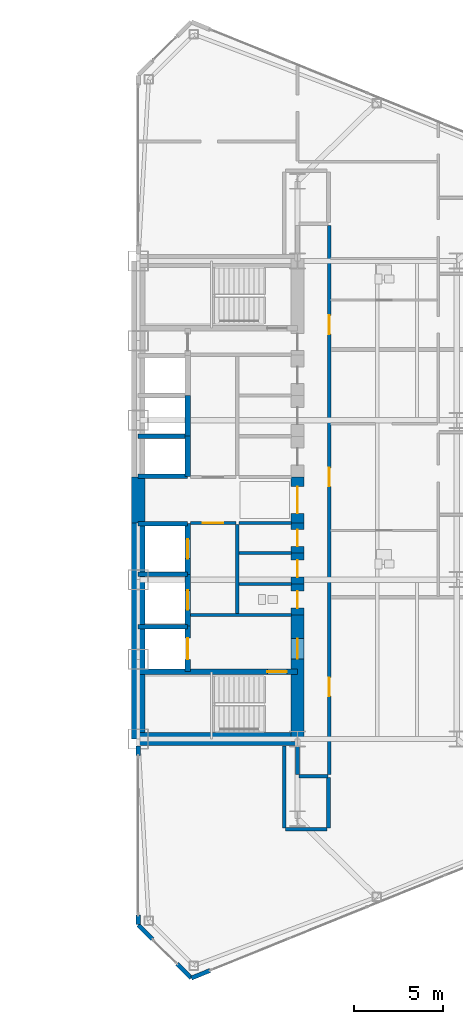
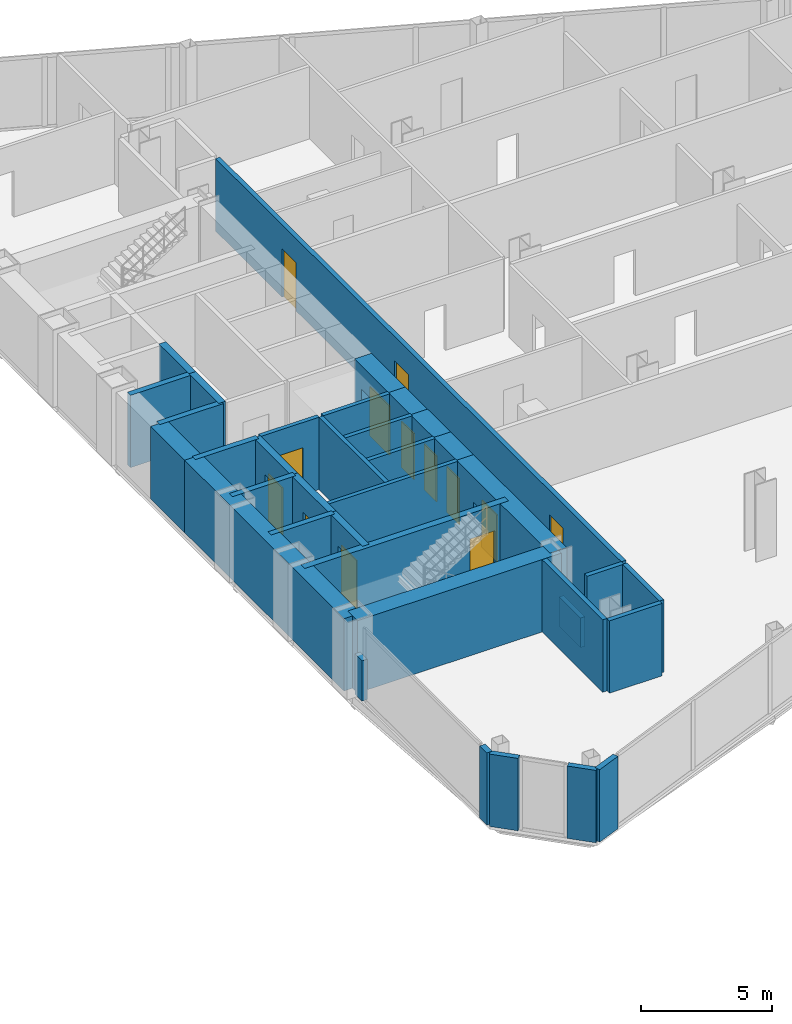
# One storey, part 20 of 25: 36 walls, 13 doors, 13 openings.
"""IFC4 building model written with IfcOpenShell, lengths in metres."""

from ifc_helpers import new_model, si_unit, direction, frame, frame_2d, origin, place, context, subcontext, project, spatial, rectangle, extrude, source, transform, mapped, material, layer, layer_set, type_object, type_shapes, element, fill, save


model = new_model("IFC4")

# Units and contexts
model_context = context("Model", 3, precision=1e-05, world=origin(), true_north=direction((0.0, 1.0)))
body_context = subcontext(model_context, "Body", "Model", "MODEL_VIEW")
ifc_project = project(units=[si_unit("LENGTHUNIT", "METRE"), si_unit("AREAUNIT", "SQUARE_METRE"), si_unit("VOLUMEUNIT", "CUBIC_METRE"), si_unit("PLANEANGLEUNIT", "RADIAN"), si_unit("MASSUNIT", "GRAM", prefix="KILO")], contexts=[model_context])

# Site, building, storey
site_placement = place(None, origin())
site = spatial("IfcSite", under=ifc_project, at=site_placement, CompositionType="ELEMENT")
building_placement = place(site_placement, origin())
building = spatial("IfcBuilding", under=site, at=building_placement, Name="Seokmaru Belvedere", CompositionType="ELEMENT")
storey_placement = place(building_placement, frame((0.0, 0.0, 58.5)))
storey = spatial("IfcBuildingStorey", under=building, at=storey_placement, Name="L15", CompositionType="ELEMENT", Elevation=58.5)

# Walls
ifc_material_1 = material(Name="Fire-Rated Gypsum Shaftwall")
ifc_layer_1 = layer(ifc_material_1, 0.179931640625)
ifc_layer_set_1 = layer_set([ifc_layer_1], Name="Fire-Rated Gypsum Shaftwall")
wall_type_1 = type_object("IfcWallType", Name="Core Service Fire Partition 180", PredefinedType="PARTITIONING", material=ifc_layer_set_1)
wall_1_placement = place(storey_placement, frame((30.449951171875, -6.5, 0.0), z_axis=(0.0, 0.0, 1.0), x_axis=(1.0, 0.0, 0.0)))
element("IfcWall", 1, at=wall_1_placement, inside=storey, type_object=wall_type_1, Name="L15 East Firefighting Lobby Partition", PredefinedType="PARTITIONING", context=body_context, shape_type="SweptSolid", body=[
    extrude(rectangle(XDim=5.699951171875, YDim=0.179931640625, at=frame_2d((2.85009765625, 0.0))), origin(), (0.0, 0.0, 1.0), 3.3798828125),
])
wall_2_placement = place(storey_placement, frame((33.10009765625, -6.419921875, 0.0), z_axis=(0.0, 0.0, 1.0), x_axis=(0.0, 1.0, 0.0)))
element("IfcWall", 2, at=wall_2_placement, inside=storey, type_object=wall_type_1, Name="L15 East South Core Service Back Wall", PredefinedType="PARTITIONING", context=body_context, shape_type="SweptSolid", body=[
    extrude(rectangle(XDim=5.0400390625, YDim=0.179931640625, at=frame_2d((2.52001953125, 0.0))), origin(), (0.0, 0.0, 1.0), 3.3798828125),
])

# Wall, opening, door
wall_3_placement = place(storey_placement, frame((30.449951171875, -1.300048828125, 0.0), z_axis=(0.0, 0.0, 1.0), x_axis=(1.0, 0.0, 0.0)))
wall_3 = element("IfcWall", 3, at=wall_3_placement, inside=storey, type_object=wall_type_1, Name="L15 East South Lift Lobby Foyer Wall", PredefinedType="PARTITIONING", context=body_context, shape_type="SweptSolid", body=[
    extrude(rectangle(XDim=2.570068359375, YDim=0.179931640625, at=frame_2d((1.28515625, 0.0))), origin(), (0.0, 0.0, 1.0), 3.3798828125),
])
opening_1_placement = place(wall_3_placement, frame((0.7099609375, 0.0, 0.0)))
opening_1 = element("IfcOpeningElement", 4, at=opening_1_placement, cuts=wall_3, Name="Opening D02", PredefinedType="OPENING", context=body_context, shape_type="SweptSolid", body=[
    extrude(rectangle(XDim=1.14990234375, YDim=2.199951171875, at=frame_2d((0.574951171875, 1.10009765625))), frame((0.0, 0.10009765625, 0.0), z_axis=(0.0, -1.0, 0.0), x_axis=(1.0, 0.0, 0.0)), (0.0, 0.0, 1.0), 0.199951171875),
])
ifc_material_2 = material(Name="Fire-Rated Steel Leaf", Category="steel")
door_type_1 = type_object("IfcDoorType", Name="Lobby and Vestibule Fire Door 1150x2200", OperationType="NOTDEFINED", PredefinedType="DOOR", material=ifc_material_2)
shared_shape_1 = source(origin(), body_context, "Body", "SweptSolid", [
    extrude(rectangle(XDim=1.14990234375, YDim=2.199951171875, at=frame_2d((0.574951171875, 1.10009765625))), frame((0.0, 0.02490234375, 0.0), z_axis=(0.0, -1.0, 0.0), x_axis=(1.0, 0.0, 0.0)), (0.0, 0.0, 1.0), 0.050048828125),
])
type_shapes(door_type_1, [shared_shape_1])
door_1_placement = place(opening_1_placement, origin())
door_1 = element("IfcDoor", 5, at=door_1_placement, inside=storey, type_object=door_type_1, Name="L15 East South Core Foyer Door", OperationType="SINGLE_SWING_RIGHT", OverallHeight=2.199951171875, OverallWidth=1.14990234375, PredefinedType="DOOR", context=body_context, shape_type="MappedRepresentation", body=[
    mapped(shared_shape_1, transform((0.0, 0.0, 0.0), scale=1.0)),
])
fill(opening_1, door_1)

# Walls
for number, where, z_axis, x_axis, name in (
    (6, (33.199951171875, -1.300048828125, 0.0), (0.0, 0.0, 1.0), (1.0, 0.0, 0.0), "L15 East Foyer Side Wall S"),
    (7, (33.199951171875, -4.75, 0.0), (0.0, 0.0, 1.0), (1.0, 0.0, 0.0), "L15 East Core Service Partition 1"),
    (8, (33.199951171875, -3.0, 0.0), (0.0, 0.0, 1.0), (1.0, 0.0, 0.0), "L15 East Core Service Partition 2"),
):
    element("IfcWall", number, at=place(storey_placement, frame(where, z_axis=z_axis, x_axis=x_axis)), inside=storey, type_object=wall_type_1, Name=name, PredefinedType="PARTITIONING", context=body_context, shape_type="SweptSolid", body=[
        extrude(rectangle(XDim=2.949951171875, YDim=0.179931640625, at=frame_2d((1.47509765625, 0.0))), origin(), (0.0, 0.0, 1.0), 3.3798828125),
    ])
ifc_material_3 = material(Name="Concrete C50 (50 MPa)", Category="concrete")
ifc_layer_2 = layer(ifc_material_3, 0.25)
ifc_layer_set_2 = layer_set([ifc_layer_2], Name="Concrete C50 (50 MPa)")
wall_type_2 = type_object("IfcWallType", Name="Hoistway Transverse Concrete Divider Wall 250", PredefinedType="SHEAR", material=ifc_layer_set_2)
for number, where, z_axis, x_axis, name in (
    (9, (27.5, -7.14990234375, 0.0), (0.0, 0.0, 1.0), (1.0, 0.0, 0.0), "L15 East Hoistway Divider Core Wall 1"),
    (10, (27.5, -4.199951171875, 0.0), (0.0, 0.0, 1.0), (1.0, 0.0, 0.0), "L15 East Hoistway Divider Core Wall 2"),
    (11, (27.5, -1.35009765625, 0.0), (0.0, 0.0, 1.0), (1.0, 0.0, 0.0), "L15 East Hoistway Divider Core Wall 3"),
    (12, (27.5, 1.35009765625, 0.0), (0.0, 0.0, 1.0), (1.0, 0.0, 0.0), "L15 East Hoistway Divider Core Wall 4"),
    (13, (27.5, 3.60009765625, 0.0), (0.0, 0.0, 1.0), (1.0, 0.0, 0.0), "L15 East Hoistway Divider Core Wall 5"),
):
    element("IfcWall", number, at=place(storey_placement, frame(where, z_axis=z_axis, x_axis=x_axis)), inside=storey, type_object=wall_type_2, Name=name, PredefinedType="SHEAR", context=body_context, shape_type="SweptSolid", body=[
        extrude(rectangle(XDim=2.800048828125, YDim=0.25, at=frame_2d((1.39990234375, 0.0))), origin(), (0.0, 0.0, 1.0), 3.3798828125),
    ])
ifc_layer_3 = layer(ifc_material_1, 0.199951171875)
ifc_layer_set_3 = layer_set([ifc_layer_3], Name="Fire-Rated Gypsum Shaftwall")
wall_type_3 = type_object("IfcWallType", Name="Inter-Tenancy Fire Compartment Partition 200", PredefinedType="PARTITIONING", material=ifc_layer_set_3)
wall_4_placement = place(storey_placement, frame((35.8349609375, -18.60009765625, 0.0), z_axis=(0.0, 0.0, 1.0), x_axis=(1.0, 0.0, 0.0)))
element("IfcWall", 14, at=wall_4_placement, inside=storey, type_object=wall_type_3, Name="L15 Interior Partition 004", PredefinedType="PARTITIONING", context=body_context, shape_type="SweptSolid", body=[
    extrude(rectangle(XDim=2.330078125, YDim=0.199951171875, at=frame_2d((1.1650390625, 0.0))), origin(), (0.0, 0.0, 1.0), 3.3798828125),
])
wall_5_placement = place(storey_placement, frame((36.5849609375, -15.60009765625, 0.0), z_axis=(0.0, 0.0, 1.0), x_axis=(1.0, 0.0, 0.0)))
element("IfcWall", 15, at=wall_5_placement, inside=storey, type_object=wall_type_3, Name="L15 Interior Partition 008", PredefinedType="PARTITIONING", context=body_context, shape_type="SweptSolid", body=[
    extrude(rectangle(XDim=1.630126953125, YDim=0.199951171875, at=frame_2d((0.81494140625, 0.0))), origin(), (0.0, 0.0, 1.0), 3.3798828125),
])
wall_6_placement = place(storey_placement, frame((35.75, -18.514892578125, 0.0), z_axis=(0.0, 0.0, 1.0), x_axis=(0.0, 1.0, 0.0)))
element("IfcWall", 16, at=wall_6_placement, inside=storey, type_object=wall_type_3, Name="L15 Interior Partition 053", PredefinedType="PARTITIONING", context=body_context, shape_type="SweptSolid", body=[
    extrude(rectangle(XDim=4.635009765625, YDim=0.199951171875, at=frame_2d((2.3173828125, 0.0))), origin(), (0.0, 0.0, 1.0), 3.3798828125),
])
wall_7_placement = place(storey_placement, frame((36.5, -15.514892578125, 0.0), z_axis=(0.0, 0.0, 1.0), x_axis=(0.0, 1.0, 0.0)))
element("IfcWall", 17, at=wall_7_placement, inside=storey, type_object=wall_type_3, Name="L15 Interior Partition 055", PredefinedType="PARTITIONING", context=body_context, shape_type="SweptSolid", body=[
    extrude(rectangle(XDim=1.635009765625, YDim=0.199951171875, at=frame_2d((0.8173828125, 0.0))), origin(), (0.0, 0.0, 1.0), 1.3798828125),
])
wall_8_placement = place(storey_placement, frame((38.25, -18.514892578125, 0.0), z_axis=(0.0, 0.0, 1.0), x_axis=(0.0, 1.0, 0.0)))
element("IfcWall", 18, at=wall_8_placement, inside=storey, type_object=wall_type_3, Name="L15 Interior Partition 058", PredefinedType="PARTITIONING", context=body_context, shape_type="SweptSolid", body=[
    extrude(rectangle(XDim=2.829833984375, YDim=0.199951171875, at=frame_2d((1.4150390625, 0.0))), origin(), (0.0, 0.0, 1.0), 3.3798828125),
])

# Wall, openings, doors
wall_9_placement = place(storey_placement, frame((38.300048828125, -15.514892578125, 0.0), z_axis=(0.0, 0.0, 1.0), x_axis=(0.0, 1.0, 0.0)))
wall_9 = element("IfcWall", 19, at=wall_9_placement, inside=storey, type_object=wall_type_3, Name="L15 Interior Partition 060", PredefinedType="PARTITIONING", context=body_context, shape_type="SweptSolid", body=[
    extrude(rectangle(XDim=31.02978515625, YDim=0.199951171875, at=frame_2d((15.514892578125, 0.0))), origin(), (0.0, 0.0, 1.0), 3.3798828125),
])
opening_2_placement = place(wall_9_placement, frame((4.43994140625, 0.0, 0.0)))
opening_2 = element("IfcOpeningElement", 20, at=opening_2_placement, cuts=wall_9, Name="Opening D03", PredefinedType="OPENING", context=body_context, shape_type="SweptSolid", body=[
    extrude(rectangle(XDim=1.050048828125, YDim=2.25, at=frame_2d((0.52490234375, 1.125))), frame((0.0, 0.10986328125, 0.0), z_axis=(0.0, -1.0, 0.0), x_axis=(1.0, 0.0, 0.0)), (0.0, 0.0, 1.0), 0.219970703125),
])
opening_3_placement = place(wall_9_placement, frame((16.280029296875, 0.0, 0.0)))
opening_3 = element("IfcOpeningElement", 21, at=opening_3_placement, cuts=wall_9, Name="Opening D03", PredefinedType="OPENING", context=body_context, shape_type="SweptSolid", body=[
    extrude(rectangle(XDim=1.050048828125, YDim=2.25, at=frame_2d((0.52490234375, 1.125))), frame((0.0, 0.10986328125, 0.0), z_axis=(0.0, -1.0, 0.0), x_axis=(1.0, 0.0, 0.0)), (0.0, 0.0, 1.0), 0.219970703125),
])
opening_4_placement = place(wall_9_placement, frame((24.887451171875, 0.0, 0.0)))
opening_4 = element("IfcOpeningElement", 22, at=opening_4_placement, cuts=wall_9, Name="Opening D03", PredefinedType="OPENING", context=body_context, shape_type="SweptSolid", body=[
    extrude(rectangle(XDim=1.050048828125, YDim=2.25, at=frame_2d((0.52490234375, 1.125))), frame((0.0, 0.10986328125, 0.0), z_axis=(0.0, -1.0, 0.0), x_axis=(1.0, 0.0, 0.0)), (0.0, 0.0, 1.0), 0.219970703125),
])
door_type_2 = type_object("IfcDoorType", Name="Apartment Entrance Fire Door 1050x2250", OperationType="NOTDEFINED", PredefinedType="DOOR", material=ifc_material_2)
shared_shape_2 = source(origin(), body_context, "Body", "SweptSolid", [
    extrude(rectangle(XDim=1.050048828125, YDim=2.25, at=frame_2d((0.52490234375, 1.125))), frame((0.0, 0.02490234375, 0.0), z_axis=(0.0, -1.0, 0.0), x_axis=(1.0, 0.0, 0.0)), (0.0, 0.0, 1.0), 0.050048828125),
])
type_shapes(door_type_2, [shared_shape_2])
door_2_placement = place(opening_2_placement, origin())
door_2 = element("IfcDoor", 23, at=door_2_placement, inside=storey, type_object=door_type_2, Name="L15 Interior Door 035", OperationType="SINGLE_SWING_LEFT", OverallHeight=2.25, OverallWidth=1.050048828125, PredefinedType="DOOR", context=body_context, shape_type="MappedRepresentation", body=[
    mapped(shared_shape_2, transform((0.0, 0.0, 0.0), scale=1.0)),
])
fill(opening_2, door_2)
door_3_placement = place(opening_3_placement, origin())
door_3 = element("IfcDoor", 24, at=door_3_placement, inside=storey, type_object=door_type_2, Name="L15 Interior Door 036", OperationType="SINGLE_SWING_RIGHT", OverallHeight=2.25, OverallWidth=1.050048828125, PredefinedType="DOOR", context=body_context, shape_type="MappedRepresentation", body=[
    mapped(shared_shape_2, transform((0.0, 0.0, 0.0), scale=1.0)),
])
fill(opening_3, door_3)
door_4_placement = place(opening_4_placement, origin())
door_4 = element("IfcDoor", 25, at=door_4_placement, inside=storey, type_object=door_type_2, Name="L15 Interior Door 048", OperationType="SINGLE_SWING_LEFT", OverallHeight=2.25, OverallWidth=1.050048828125, PredefinedType="DOOR", context=body_context, shape_type="MappedRepresentation", body=[
    mapped(shared_shape_2, transform((0.0, 0.0, 0.0), scale=1.0)),
])
fill(opening_4, door_4)

# Wall, opening, door
ifc_layer_4 = layer(ifc_material_3, 0.300048828125)
ifc_layer_set_4 = layer_set([ifc_layer_4], Name="Concrete C50 (50 MPa)")
wall_type_4 = type_object("IfcWallType", Name="Internal Core Stair and Hoistway Wall 300", PredefinedType="SHEAR", material=ifc_layer_set_4)
wall_10_placement = place(storey_placement, frame((27.5, -9.699951171875, 0.0), z_axis=(0.0, 0.0, 1.0), x_axis=(1.0, 0.0, 0.0)))
wall_10 = element("IfcWall", 26, at=wall_10_placement, inside=storey, type_object=wall_type_4, Name="L15 East Stair ST-1 Enclosure Wall", PredefinedType="SHEAR", context=body_context, shape_type="SweptSolid", body=[
    extrude(rectangle(XDim=9.0, YDim=0.300048828125, at=frame_2d((4.5, 0.0))), origin(), (0.0, 0.0, 1.0), 3.3798828125),
])
opening_5_placement = place(wall_10_placement, frame((7.300048828125, 0.0, 0.0)))
opening_5 = element("IfcOpeningElement", 27, at=opening_5_placement, cuts=wall_10, Name="Opening D01", PredefinedType="OPENING", context=body_context, shape_type="SweptSolid", body=[
    extrude(rectangle(XDim=1.10009765625, YDim=2.199951171875, at=frame_2d((0.550048828125, 1.10009765625))), frame((0.0, 0.16015625, 0.0), z_axis=(0.0, -1.0, 0.0), x_axis=(1.0, 0.0, 0.0)), (0.0, 0.0, 1.0), 0.320068359375),
])
door_type_3 = type_object("IfcDoorType", Name="Special Escape Stair Smokeproof Fire Door 1100x2200", OperationType="NOTDEFINED", PredefinedType="DOOR", material=ifc_material_2)
shared_shape_3 = source(origin(), body_context, "Body", "SweptSolid", [
    extrude(rectangle(XDim=1.10009765625, YDim=2.199951171875, at=frame_2d((0.550048828125, 1.10009765625))), frame((0.0, 0.02490234375, 0.0), z_axis=(0.0, -1.0, 0.0), x_axis=(1.0, 0.0, 0.0)), (0.0, 0.0, 1.0), 0.050048828125),
])
type_shapes(door_type_3, [shared_shape_3])
door_5_placement = place(opening_5_placement, frame((1.10009765625, 0.0, 0.0), z_axis=(0.0, 0.0, 1.0), x_axis=(-1.0, 0.0, 0.0)))
door_5 = element("IfcDoor", 28, at=door_5_placement, inside=storey, type_object=door_type_3, Name="L15 East Special Escape Stair ST-1 Door", OperationType="SINGLE_SWING_RIGHT", OverallHeight=2.199951171875, OverallWidth=1.10009765625, PredefinedType="DOOR", context=body_context, shape_type="MappedRepresentation", body=[
    mapped(shared_shape_3, transform((0.0, 0.0, 0.0), scale=1.0)),
])
fill(opening_5, door_5)

wall_11_placement = place(storey_placement, frame((30.300048828125, -9.679931640625, 0.0), z_axis=(0.0, 0.0, 1.0), x_axis=(0.0, 1.0, 0.0)))
wall_11 = element("IfcWall", 29, at=wall_11_placement, inside=storey, type_object=wall_type_4, Name="L15 East Firefighting Lift Shaft Front Wall", PredefinedType="SHEAR", context=body_context, shape_type="SweptSolid", body=[
    extrude(rectangle(XDim=2.559814453125, YDim=0.300048828125, at=frame_2d((1.27978515625, 0.0))), origin(), (0.0, 0.0, 1.0), 3.3798828125),
])
opening_6_placement = place(wall_11_placement, frame((0.679931640625, 0.0, 0.0)))
opening_6 = element("IfcOpeningElement", 30, at=opening_6_placement, cuts=wall_11, Name="Opening LD2", PredefinedType="OPENING", context=body_context, shape_type="SweptSolid", body=[
    extrude(rectangle(XDim=1.199951171875, YDim=2.25, at=frame_2d((0.60009765625, 1.125))), frame((0.0, 0.16015625, 0.0), z_axis=(0.0, -1.0, 0.0), x_axis=(1.0, 0.0, 0.0)), (0.0, 0.0, 1.0), 0.320068359375),
])
ifc_material_4 = material(Name="Stainless Steel 316", Category="steel")
door_type_4 = type_object("IfcDoorType", Name="Firefighting Lift Sliding Landing Door 1200x2250", OperationType="DOUBLE_DOOR_SLIDING", PredefinedType="DOOR", material=ifc_material_4)
shared_shape_4 = source(origin(), body_context, "Body", "SweptSolid", [
    extrude(rectangle(XDim=1.199951171875, YDim=2.25, at=frame_2d((0.60009765625, 1.125))), frame((0.0, 0.02490234375, 0.0), z_axis=(0.0, -1.0, 0.0), x_axis=(1.0, 0.0, 0.0)), (0.0, 0.0, 1.0), 0.050048828125),
])
type_shapes(door_type_4, [shared_shape_4])
door_6_placement = place(opening_6_placement, origin())
door_6 = element("IfcDoor", 31, at=door_6_placement, inside=storey, type_object=door_type_4, Name="L15 East Firefighting Lift Landing Door", OperationType="DOUBLE_DOOR_SLIDING", OverallHeight=2.25, OverallWidth=1.199951171875, PredefinedType="DOOR", context=body_context, shape_type="MappedRepresentation", body=[
    mapped(shared_shape_4, transform((0.0, 0.0, 0.0), scale=1.0)),
])
fill(opening_6, door_6)

wall_12_placement = place(storey_placement, frame((30.300048828125, -7.1201171875, 0.0), z_axis=(0.0, 0.0, 1.0), x_axis=(0.0, 1.0, 0.0)))
wall_12 = element("IfcWall", 32, at=wall_12_placement, inside=storey, type_object=wall_type_4, Name="L15 East Low-Rise Lift PL-1 Front Wall", PredefinedType="SHEAR", context=body_context, shape_type="SweptSolid", body=[
    extrude(rectangle(XDim=2.920166015625, YDim=0.300048828125, at=frame_2d((1.4599609375, 0.0))), origin(), (0.0, 0.0, 1.0), 3.3798828125),
])
opening_7_placement = place(wall_12_placement, frame((0.909912109375, 0.0, 0.0)))
opening_7 = element("IfcOpeningElement", 33, at=opening_7_placement, cuts=wall_12, Name="Opening LD1", PredefinedType="OPENING", context=body_context, shape_type="SweptSolid", body=[
    extrude(rectangle(XDim=1.10009765625, YDim=2.199951171875, at=frame_2d((0.550048828125, 1.10009765625))), frame((0.0, 0.16015625, 0.0), z_axis=(0.0, -1.0, 0.0), x_axis=(1.0, 0.0, 0.0)), (0.0, 0.0, 1.0), 0.320068359375),
])
door_type_5 = type_object("IfcDoorType", Name="Passenger Lift Sliding Landing Door 1100x2200", OperationType="DOUBLE_DOOR_SLIDING", PredefinedType="DOOR", material=ifc_material_4)
shared_shape_5 = source(origin(), body_context, "Body", "SweptSolid", [
    extrude(rectangle(XDim=1.10009765625, YDim=2.199951171875, at=frame_2d((0.550048828125, 1.10009765625))), frame((0.0, 0.02490234375, 0.0), z_axis=(0.0, -1.0, 0.0), x_axis=(1.0, 0.0, 0.0)), (0.0, 0.0, 1.0), 0.050048828125),
])
type_shapes(door_type_5, [shared_shape_5])
door_7_placement = place(opening_7_placement, origin())
door_7 = element("IfcDoor", 34, at=door_7_placement, inside=storey, type_object=door_type_5, Name="L15 East Low-Rise Lift PL-1 Landing Door", OperationType="DOUBLE_DOOR_SLIDING", OverallHeight=2.199951171875, OverallWidth=1.10009765625, PredefinedType="DOOR", context=body_context, shape_type="MappedRepresentation", body=[
    mapped(shared_shape_5, transform((0.0, 0.0, 0.0), scale=1.0)),
])
fill(opening_7, door_7)

wall_13_placement = place(storey_placement, frame((30.300048828125, -4.199951171875, 0.0), z_axis=(0.0, 0.0, 1.0), x_axis=(0.0, 1.0, 0.0)))
wall_13 = element("IfcWall", 35, at=wall_13_placement, inside=storey, type_object=wall_type_4, Name="L15 East Low-Rise Lift PL-2 Front Wall", PredefinedType="SHEAR", context=body_context, shape_type="SweptSolid", body=[
    extrude(rectangle(XDim=2.8798828125, YDim=0.300048828125, at=frame_2d((1.43994140625, 0.0))), origin(), (0.0, 0.0, 1.0), 3.3798828125),
])
opening_8_placement = place(wall_13_placement, frame((0.889892578125, 0.0, 0.0)))
opening_8 = element("IfcOpeningElement", 36, at=opening_8_placement, cuts=wall_13, Name="Opening LD1", PredefinedType="OPENING", context=body_context, shape_type="SweptSolid", body=[
    extrude(rectangle(XDim=1.10009765625, YDim=2.199951171875, at=frame_2d((0.550048828125, 1.10009765625))), frame((0.0, 0.16015625, 0.0), z_axis=(0.0, -1.0, 0.0), x_axis=(1.0, 0.0, 0.0)), (0.0, 0.0, 1.0), 0.320068359375),
])
door_8_placement = place(opening_8_placement, origin())
door_8 = element("IfcDoor", 37, at=door_8_placement, inside=storey, type_object=door_type_5, Name="L15 East Low-Rise Lift PL-2 Landing Door", OperationType="DOUBLE_DOOR_SLIDING", OverallHeight=2.199951171875, OverallWidth=1.10009765625, PredefinedType="DOOR", context=body_context, shape_type="MappedRepresentation", body=[
    mapped(shared_shape_5, transform((0.0, 0.0, 0.0), scale=1.0)),
])
fill(opening_8, door_8)

# Walls
wall_14_placement = place(storey_placement, frame((30.300048828125, 1.320068359375, 0.0), z_axis=(0.0, 0.0, 1.0), x_axis=(0.0, 1.0, 0.0)))
element("IfcWall", 38, at=wall_14_placement, inside=storey, type_object=wall_type_4, Name="L15 East North Hoistway Wall PH1", PredefinedType="SHEAR", context=body_context, shape_type="SweptSolid", body=[
    extrude(rectangle(XDim=2.280029296875, YDim=0.300048828125, at=frame_2d((1.14013671875, 0.0))), origin(), (0.0, 0.0, 1.0), 3.3798828125),
])
wall_15_placement = place(storey_placement, frame((30.300048828125, 3.60009765625, 0.0), z_axis=(0.0, 0.0, 1.0), x_axis=(0.0, 1.0, 0.0)))
element("IfcWall", 39, at=wall_15_placement, inside=storey, type_object=wall_type_4, Name="L15 East North Hoistway Wall PH2", PredefinedType="SHEAR", context=body_context, shape_type="SweptSolid", body=[
    extrude(rectangle(XDim=2.2998046875, YDim=0.300048828125, at=frame_2d((1.14990234375, 0.0))), origin(), (0.0, 0.0, 1.0), 3.3798828125),
])
ifc_material_5 = material(Name="Concrete C60 (60 MPa)", Category="concrete")
ifc_layer_5 = layer(ifc_material_5, 0.75)
ifc_layer_set_5 = layer_set([ifc_layer_5], Name="Concrete C60 (60 MPa)")
wall_type_5 = type_object("IfcWallType", Name="Lower Tower Reinforced Concrete Core Wall 750", PredefinedType="SHEAR", material=ifc_layer_set_5)
wall_16_placement = place(storey_placement, frame((27.5, -13.5, 0.0), z_axis=(0.0, 0.0, 1.0), x_axis=(0.0, 1.0, 0.0)))
element("IfcWall", 40, at=wall_16_placement, inside=storey, type_object=wall_type_5, Name="L15 East Portal Spine Core Wall South", PredefinedType="SHEAR", context=body_context, shape_type="SweptSolid", body=[
    extrude(rectangle(XDim=12.199951171875, YDim=0.75, at=frame_2d((6.10009765625, 0.0))), origin(), (0.0, 0.0, 1.0), 3.3798828125),
])
wall_17_placement = place(storey_placement, frame((27.5, -1.300048828125, 0.0), z_axis=(0.0, 0.0, 1.0), x_axis=(0.0, 1.0, 0.0)))
element("IfcWall", 41, at=wall_17_placement, inside=storey, type_object=wall_type_5, Name="L15 East Portal Spine Core Wall Center", PredefinedType="SHEAR", context=body_context, shape_type="SweptSolid", body=[
    extrude(rectangle(XDim=2.60009765625, YDim=0.75, at=frame_2d((1.300048828125, 0.0))), origin(), (0.0, 0.0, 1.0), 3.3798828125),
])
wall_18_placement = place(storey_placement, frame((27.5, -13.5, 0.0), z_axis=(0.0, 0.0, 1.0), x_axis=(1.0, 0.0, 0.0)))
element("IfcWall", 42, at=wall_18_placement, inside=storey, type_object=wall_type_5, Name="L15 East South Core Wall", PredefinedType="SHEAR", context=body_context, shape_type="SweptSolid", body=[
    extrude(rectangle(XDim=9.0, YDim=0.75, at=frame_2d((4.5, 0.0))), origin(), (0.0, 0.0, 1.0), 3.3798828125),
])

# Wall, opening, door
wall_19_placement = place(storey_placement, frame((36.5, -13.64990234375, 0.0), z_axis=(0.0, 0.0, 1.0), x_axis=(0.0, 1.0, 0.0)))
wall_19 = element("IfcWall", 43, at=wall_19_placement, inside=storey, type_object=wall_type_5, Name="L15 East West Core Wall FF", PredefinedType="SHEAR", context=body_context, shape_type="SweptSolid", body=[
    extrude(rectangle(XDim=7.14990234375, YDim=0.75, at=frame_2d((3.574951171875, 0.0))), origin(), (0.0, 0.0, 1.0), 3.3798828125),
])
opening_9_placement = place(wall_19_placement, frame((4.675048828125, 0.0, 0.0)))
opening_9 = element("IfcOpeningElement", 44, at=opening_9_placement, cuts=wall_19, Name="Opening D02", PredefinedType="OPENING", context=body_context, shape_type="SweptSolid", body=[
    extrude(rectangle(XDim=1.14990234375, YDim=2.199951171875, at=frame_2d((0.574951171875, 1.10009765625))), frame((0.0, 0.385009765625, 0.0), z_axis=(0.0, -1.0, 0.0), x_axis=(1.0, 0.0, 0.0)), (0.0, 0.0, 1.0), 0.77001953125),
])
door_9_placement = place(opening_9_placement, origin())
door_9 = element("IfcDoor", 45, at=door_9_placement, inside=storey, type_object=door_type_1, Name="L15 East Firefighting Lobby Door", OperationType="SINGLE_SWING_RIGHT", OverallHeight=2.199951171875, OverallWidth=1.14990234375, PredefinedType="DOOR", context=body_context, shape_type="MappedRepresentation", body=[
    mapped(shared_shape_1, transform((0.0, 0.0, 0.0), scale=1.0)),
])
fill(opening_9, door_9)

wall_20_placement = place(storey_placement, frame((36.5, -1.300048828125, 0.0), z_axis=(0.0, 0.0, 1.0), x_axis=(0.0, 1.0, 0.0)))
wall_20 = element("IfcWall", 46, at=wall_20_placement, inside=storey, type_object=wall_type_5, Name="L15 East West Core Wall FOY", PredefinedType="SHEAR", context=body_context, shape_type="SweptSolid", body=[
    extrude(rectangle(XDim=2.60009765625, YDim=0.75, at=frame_2d((1.300048828125, 0.0))), origin(), (0.0, 0.0, 1.0), 3.3798828125),
])
opening_10_placement = place(wall_20_placement, frame((0.550048828125, 0.0, 0.0)))
opening_10 = element("IfcOpeningElement", 47, at=opening_10_placement, cuts=wall_20, Name="Opening D08", PredefinedType="OPENING", context=body_context, shape_type="SweptSolid", body=[
    extrude(rectangle(XDim=1.5, YDim=2.300048828125, at=frame_2d((0.75, 1.14990234375))), frame((0.0, 0.385009765625, 0.0), z_axis=(0.0, -1.0, 0.0), x_axis=(1.0, 0.0, 0.0)), (0.0, 0.0, 1.0), 0.77001953125),
])
door_type_6 = type_object("IfcDoorType", Name="Cross-Corridor Compartment Double Fire Door 1500x2300", OperationType="DOUBLE_SWING_LEFT", PredefinedType="DOOR", material=ifc_material_2)
shared_shape_6 = source(origin(), body_context, "Body", "SweptSolid", [
    extrude(rectangle(XDim=1.5, YDim=2.300048828125, at=frame_2d((0.75, 1.14990234375))), frame((0.0, 0.02490234375, 0.0), z_axis=(0.0, -1.0, 0.0), x_axis=(1.0, 0.0, 0.0)), (0.0, 0.0, 1.0), 0.050048828125),
])
type_shapes(door_type_6, [shared_shape_6])
door_10_placement = place(opening_10_placement, origin())
door_10 = element("IfcDoor", 48, at=door_10_placement, inside=storey, type_object=door_type_6, Name="L15 East Core Foyer Compartment Door", OperationType="DOUBLE_SWING_LEFT", OverallHeight=2.300048828125, OverallWidth=1.5, PredefinedType="DOOR", context=body_context, shape_type="MappedRepresentation", body=[
    mapped(shared_shape_6, transform((0.0, 0.0, 0.0), scale=1.0)),
])
fill(opening_10, door_10)

wall_21_placement = place(storey_placement, frame((36.5, -6.5, 0.0), z_axis=(0.0, 0.0, 1.0), x_axis=(0.0, 1.0, 0.0)))
wall_21 = element("IfcWall", 49, at=wall_21_placement, inside=storey, type_object=wall_type_5, Name="L15 East West Core Wall CS1", PredefinedType="SHEAR", context=body_context, shape_type="SweptSolid", body=[
    extrude(rectangle(XDim=1.75, YDim=0.75, at=frame_2d((0.875, 0.0))), origin(), (0.0, 0.0, 1.0), 3.3798828125),
])
opening_11_placement = place(wall_21_placement, frame((0.39990234375, 0.0, 0.0)))
opening_11 = element("IfcOpeningElement", 50, at=opening_11_placement, cuts=wall_21, Name="Opening D04", PredefinedType="OPENING", context=body_context, shape_type="SweptSolid", body=[
    extrude(rectangle(XDim=0.949951171875, YDim=2.14990234375, at=frame_2d((0.47509765625, 1.074951171875))), frame((0.0, 0.385009765625, 0.0), z_axis=(0.0, -1.0, 0.0), x_axis=(1.0, 0.0, 0.0)), (0.0, 0.0, 1.0), 0.77001953125),
])
door_type_7 = type_object("IfcDoorType", Name="Core Service Room Fire Door 950x2150", OperationType="NOTDEFINED", PredefinedType="DOOR", material=ifc_material_2)
shared_shape_7 = source(origin(), body_context, "Body", "SweptSolid", [
    extrude(rectangle(XDim=0.949951171875, YDim=2.14990234375, at=frame_2d((0.47509765625, 1.074951171875))), frame((0.0, 0.02490234375, 0.0), z_axis=(0.0, -1.0, 0.0), x_axis=(1.0, 0.0, 0.0)), (0.0, 0.0, 1.0), 0.050048828125),
])
type_shapes(door_type_7, [shared_shape_7])
door_11_placement = place(opening_11_placement, origin())
door_11 = element("IfcDoor", 51, at=door_11_placement, inside=storey, type_object=door_type_7, Name="L15 East Core Service Room Door 1", OperationType="SINGLE_SWING_RIGHT", OverallHeight=2.14990234375, OverallWidth=0.949951171875, PredefinedType="DOOR", context=body_context, shape_type="MappedRepresentation", body=[
    mapped(shared_shape_7, transform((0.0, 0.0, 0.0), scale=1.0)),
])
fill(opening_11, door_11)

wall_22_placement = place(storey_placement, frame((36.5, -4.75, 0.0), z_axis=(0.0, 0.0, 1.0), x_axis=(0.0, 1.0, 0.0)))
wall_22 = element("IfcWall", 52, at=wall_22_placement, inside=storey, type_object=wall_type_5, Name="L15 East West Core Wall CS2", PredefinedType="SHEAR", context=body_context, shape_type="SweptSolid", body=[
    extrude(rectangle(XDim=1.75, YDim=0.75, at=frame_2d((0.875, 0.0))), origin(), (0.0, 0.0, 1.0), 3.3798828125),
])
opening_12_placement = place(wall_22_placement, frame((0.39990234375, 0.0, 0.0)))
opening_12 = element("IfcOpeningElement", 53, at=opening_12_placement, cuts=wall_22, Name="Opening D04", PredefinedType="OPENING", context=body_context, shape_type="SweptSolid", body=[
    extrude(rectangle(XDim=0.949951171875, YDim=2.14990234375, at=frame_2d((0.47509765625, 1.074951171875))), frame((0.0, 0.385009765625, 0.0), z_axis=(0.0, -1.0, 0.0), x_axis=(1.0, 0.0, 0.0)), (0.0, 0.0, 1.0), 0.77001953125),
])
door_12_placement = place(opening_12_placement, origin())
door_12 = element("IfcDoor", 54, at=door_12_placement, inside=storey, type_object=door_type_7, Name="L15 East Core Service Room Door 2", OperationType="SINGLE_SWING_LEFT", OverallHeight=2.14990234375, OverallWidth=0.949951171875, PredefinedType="DOOR", context=body_context, shape_type="MappedRepresentation", body=[
    mapped(shared_shape_7, transform((0.0, 0.0, 0.0), scale=1.0)),
])
fill(opening_12, door_12)

wall_23_placement = place(storey_placement, frame((36.5, -3.0, 0.0), z_axis=(0.0, 0.0, 1.0), x_axis=(0.0, 1.0, 0.0)))
wall_23 = element("IfcWall", 55, at=wall_23_placement, inside=storey, type_object=wall_type_5, Name="L15 East West Core Wall CS3", PredefinedType="SHEAR", context=body_context, shape_type="SweptSolid", body=[
    extrude(rectangle(XDim=1.699951171875, YDim=0.75, at=frame_2d((0.85009765625, 0.0))), origin(), (0.0, 0.0, 1.0), 3.3798828125),
])
opening_13_placement = place(wall_23_placement, frame((0.375, 0.0, 0.0)))
opening_13 = element("IfcOpeningElement", 56, at=opening_13_placement, cuts=wall_23, Name="Opening D04", PredefinedType="OPENING", context=body_context, shape_type="SweptSolid", body=[
    extrude(rectangle(XDim=0.949951171875, YDim=2.14990234375, at=frame_2d((0.47509765625, 1.074951171875))), frame((0.0, 0.385009765625, 0.0), z_axis=(0.0, -1.0, 0.0), x_axis=(1.0, 0.0, 0.0)), (0.0, 0.0, 1.0), 0.77001953125),
])
door_13_placement = place(opening_13_placement, origin())
door_13 = element("IfcDoor", 57, at=door_13_placement, inside=storey, type_object=door_type_7, Name="L15 East Core Service Room Door 3", OperationType="SINGLE_SWING_RIGHT", OverallHeight=2.14990234375, OverallWidth=0.949951171875, PredefinedType="DOOR", context=body_context, shape_type="MappedRepresentation", body=[
    mapped(shared_shape_7, transform((0.0, 0.0, 0.0), scale=1.0)),
])
fill(opening_13, door_13)

# Walls
ifc_material_6 = material(Name="Anodised Bronze Aluminium", Category="aluminium")
ifc_layer_6 = layer(ifc_material_6, 0.239990234375)
ifc_layer_set_6 = layer_set([ifc_layer_6], Name="Anodised Bronze Aluminium")
wall_type_6 = type_object("IfcWallType", Name="Tower Corner Spandrel Closure Wall 240", PredefinedType="SOLIDWALL", material=ifc_layer_set_6)
wall_24_placement = place(storey_placement, frame((30.50927734375, -26.99609375, 0.0), z_axis=(0.0, 0.0, 1.0), x_axis=(0.927007103665, 0.375043770452, 0.0)))
element("IfcWall", 58, at=wall_24_placement, inside=storey, type_object=wall_type_6, Name="L15 E Corner Closure Pier 1A", PredefinedType="SOLIDWALL", context=body_context, shape_type="SweptSolid", body=[
    extrude(rectangle(XDim=1.139892578125, YDim=0.239990234375, at=frame_2d((0.56982421875, 0.0))), origin(), (0.0, 0.0, 1.0), 3.3798828125),
])
wall_25_placement = place(storey_placement, frame((27.5, -23.97998046875, 0.0), z_axis=(0.0, 0.0, 1.0), x_axis=(0.0, 1.0, 0.0)))
element("IfcWall", 59, at=wall_25_placement, inside=storey, type_object=wall_type_6, Name="L15 E Spine Closure Pier 1A", PredefinedType="SOLIDWALL", context=body_context, shape_type="SweptSolid", body=[
    extrude(rectangle(XDim=0.550048828125, YDim=0.239990234375, at=frame_2d((0.27490234375, 0.0))), origin(), (0.0, 0.0, 1.0), 3.3798828125),
])
wall_26_placement = place(storey_placement, frame((27.5, -14.429931640625, 0.0), z_axis=(0.0, 0.0, 1.0), x_axis=(0.0, 1.0, 0.0)))
element("IfcWall", 60, at=wall_26_placement, inside=storey, type_object=wall_type_6, Name="L15 E Spine Closure Pier 1B", PredefinedType="SOLIDWALL", context=body_context, shape_type="SweptSolid", body=[
    extrude(rectangle(XDim=0.550048828125, YDim=0.239990234375, at=frame_2d((0.27490234375, 0.0))), origin(), (0.0, 0.0, 1.0), 1.8798828125),
])
for number, where, z_axis, x_axis, name in (
    (61, (27.507080078125, -24.007080078125, 0.0), (0.0, 0.0, 1.0), (0.707106781187, -0.707106781187, 0.0), "L15 E Corner Closure Pier 6A"),
    (62, (29.686767578125, -26.186767578125, 0.0), (0.0, 0.0, 1.0), (0.707106781187, -0.707106781187, 0.0), "L15 E Corner Closure Pier 6B"),
):
    element("IfcWall", number, at=place(storey_placement, frame(where, z_axis=z_axis, x_axis=x_axis)), inside=storey, type_object=wall_type_6, Name=name, PredefinedType="SOLIDWALL", context=body_context, shape_type="SweptSolid", body=[
        extrude(rectangle(XDim=1.14013671875, YDim=0.239990234375, at=frame_2d((0.570068359375, 0.0))), origin(), (0.0, 0.0, 1.0), 3.3798828125),
    ])

save(model, "model.ifc")
